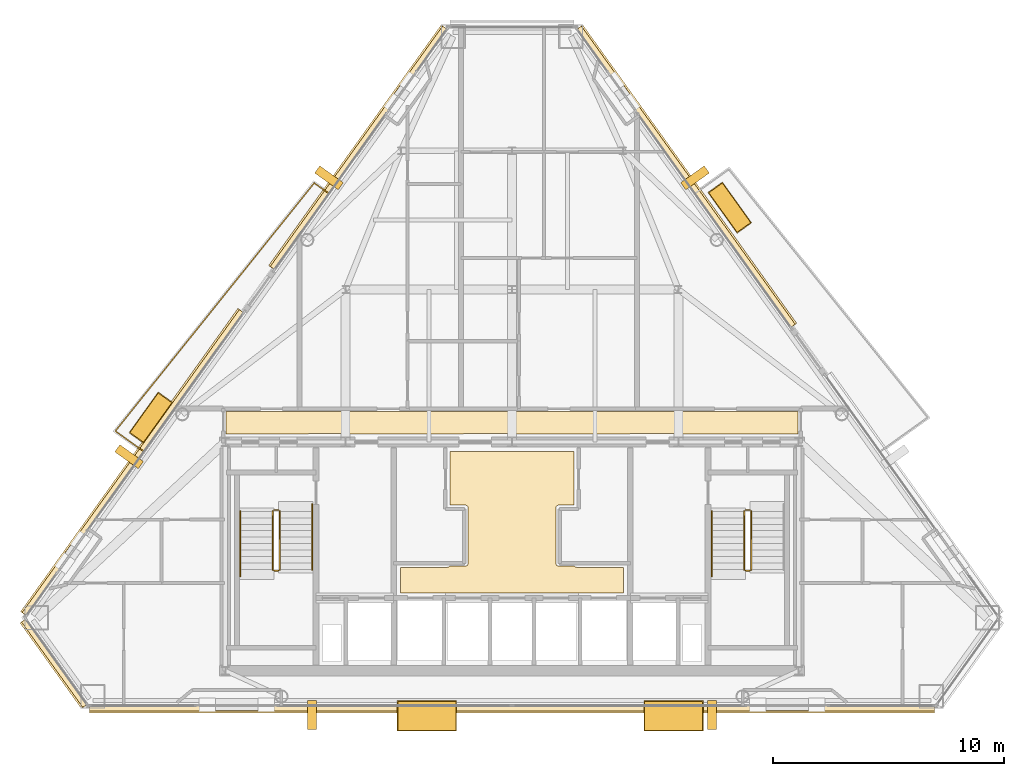
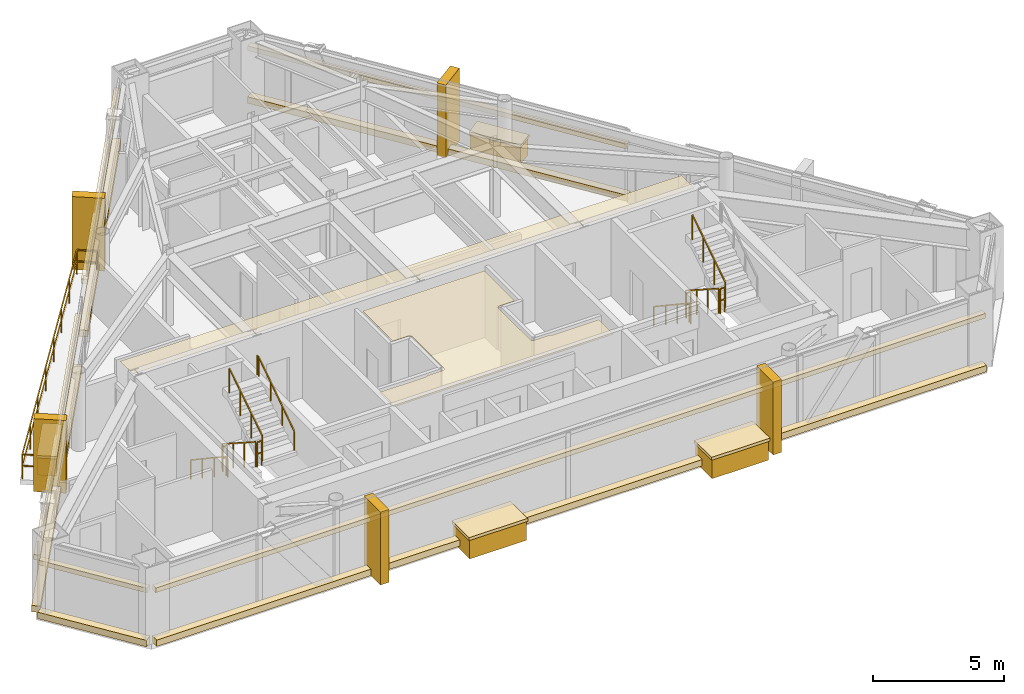
# One storey, part 10 of 11: 25 coverings, 12 railings.
"""IFC4 building model written with IfcOpenShell, lengths in metres."""

from ifc_helpers import new_model, si_unit, direction, frame, origin, origin_2d, place, context, subcontext, project, spatial, polyline, rectangle, outline, extrude, material, layer, layer_set, type_object, element, save


model = new_model("IFC4")

# Units and contexts
model_context = context("Model", 3, precision=1e-05, world=origin(), true_north=direction((0.0, 1.0)))
body_context = subcontext(model_context, "Body", "Model", "MODEL_VIEW")
ifc_project = project(units=[si_unit("LENGTHUNIT", "METRE"), si_unit("AREAUNIT", "SQUARE_METRE"), si_unit("VOLUMEUNIT", "CUBIC_METRE"), si_unit("PLANEANGLEUNIT", "RADIAN"), si_unit("MASSUNIT", "GRAM", prefix="KILO")], contexts=[model_context])

# Site, building, storey
site_placement = place(None, origin())
site = spatial("IfcSite", under=ifc_project, at=site_placement, CompositionType="ELEMENT")
building_placement = place(site_placement, origin())
building = spatial("IfcBuilding", under=site, at=building_placement, Name="Talgorran Terracotta Tower", CompositionType="ELEMENT")
storey_placement = place(building_placement, frame((0.0, 0.0, 237.0)))
storey = spatial("IfcBuildingStorey", under=building, at=storey_placement, Name="L62", CompositionType="ELEMENT", Elevation=237.0)

# Coverings
ifc_material_1 = material(Name="Kiln-Fired Terracotta Ochre Ceramic", Category="masonry")
ifc_layer_1 = layer(ifc_material_1, 0.179931640625, Name="COV_BAGUETTE_TERRACOTTA_SCREEN")
ifc_layer_set_1 = layer_set([ifc_layer_1], Name="Kiln-Fired Terracotta Ochre Ceramic")
covering_type_1 = type_object("IfcCoveringType", Name="COV_BAGUETTE_TERRACOTTA_SCREEN", PredefinedType="CLADDING", material=ifc_layer_set_1)
covering_1_placement = place(storey_placement, frame((-19.7880859375, -13.76318359375, 2.41015625), z_axis=(0.0, 0.0, 1.0), x_axis=(0.582662110936, -0.812714503673, 0.0)))
element("IfcCovering", 1, at=covering_1_placement, inside=storey, type_object=covering_type_1, Name="L62 Terracotta Baguette Solar Screen Assembly F0", PredefinedType="CLADDING", context=body_context, shape_type="SweptSolid", body=[
    extrude(rectangle(XDim=4.542724609375, YDim=0.260009765625, at=origin_2d()), origin(), (0.0, 0.0, 1.0), 0.219970703125),
])
covering_2_placement = place(storey_placement, frame((0.0, -15.707763671875, 2.41015625), z_axis=(0.0, 0.0, 1.0), x_axis=(1.0, 0.0, 0.0)))
element("IfcCovering", 2, at=covering_2_placement, inside=storey, type_object=covering_type_1, Name="L62 Terracotta Baguette Solar Screen Assembly F1", PredefinedType="CLADDING", context=body_context, shape_type="SweptSolid", body=[
    extrude(rectangle(XDim=36.545166015625, YDim=0.260009765625, at=origin_2d()), origin(), (0.0, 0.0, 1.0), 0.219970703125),
])
covering_3_placement = place(storey_placement, frame((7.521728515625, 7.2685546875, 2.41015625), z_axis=(0.0, 0.0, 1.0), x_axis=(-0.582662110936, 0.812714503673, 0.0)))
element("IfcCovering", 3, at=covering_3_placement, inside=storey, type_object=covering_type_1, Name="L62 Terracotta Baguette Solar Screen Assembly F41", PredefinedType="CLADDING", context=body_context, shape_type="SweptSolid", body=[
    extrude(rectangle(XDim=15.8701171875, YDim=0.260009765625, at=origin_2d()), origin(), (0.0, 0.0, 1.0), 0.219970703125),
])
covering_4_placement = place(storey_placement, frame((-6.625732421875, 8.518310546875, 2.41015625), z_axis=(0.0, 0.0, 1.0), x_axis=(-0.582662110936, -0.812714503673, 0.0)))
element("IfcCovering", 4, at=covering_4_placement, inside=storey, type_object=covering_type_1, Name="L62 Terracotta Baguette Solar Screen Assembly F60", PredefinedType="CLADDING", context=body_context, shape_type="SweptSolid", body=[
    extrude(rectangle(XDim=12.794921875, YDim=0.260009765625, at=origin_2d()), origin(), (0.0, 0.0, 1.0), 0.219970703125),
])
covering_5_placement = place(storey_placement, frame((-16.390869140625, -5.102294921875, 2.41015625), z_axis=(0.0, 0.0, 1.0), x_axis=(-0.582662110936, -0.812714503673, 0.0)))
element("IfcCovering", 5, at=covering_5_placement, inside=storey, type_object=covering_type_1, Name="L62 Terracotta Baguette Solar Screen Assembly F61", PredefinedType="CLADDING", context=body_context, shape_type="SweptSolid", body=[
    extrude(rectangle(XDim=16.123779296875, YDim=0.260009765625, at=origin_2d()), origin(), (0.0, 0.0, 1.0), 0.219970703125),
])
ifc_material_2 = material(Name="Mineral Fibre Acoustic Tile")
ifc_layer_2 = layer(ifc_material_2, 0.02490234375, Name="COV_CEIL_ACOUSTIC")
ifc_layer_set_2 = layer_set([ifc_layer_2], Name="Mineral Fibre Acoustic Tile")
covering_type_2 = type_object("IfcCoveringType", Name="COV_CEIL_ACOUSTIC", PredefinedType="CEILING", material=ifc_layer_set_2)
covering_6_placement = place(storey_placement, frame((0.0, 0.0, 3.2548828125)))
element("IfcCovering", 6, at=covering_6_placement, inside=storey, type_object=covering_type_2, Name="CEIL-L62-2", PredefinedType="CEILING", context=body_context, shape_type="SweptSolid", body=[
    extrude(outline(polyline([(-12.364990234375, -2.885009765625), (12.364990234375, -2.885009765625), (12.364990234375, -3.844970703125), (7.432861328125, -3.844970703125), (6.968017578125, -3.843017578125), (6.967529296875, -3.843017578125), (0.232666015625, -3.844970703125), (-0.23193359375, -3.843017578125), (-0.232421875, -3.843017578125), (-6.96728515625, -3.844970703125), (-7.431884765625, -3.843017578125), (-7.4326171875, -3.843017578125), (-12.364990234375, -3.844970703125), (-12.364990234375, -2.885009765625)])), origin(), (0.0, 0.0, 1.0), 0.02001953125),
])
ifc_material_3 = material(Name="Flush Moisture-Resistant Plaster")
ifc_layer_3 = layer(ifc_material_3, 0.01806640625, Name="COV_CEIL_PLASTER")
ifc_layer_set_3 = layer_set([ifc_layer_3], Name="Flush Moisture-Resistant Plaster")
covering_type_3 = type_object("IfcCoveringType", Name="COV_CEIL_PLASTER", PredefinedType="CEILING", material=ifc_layer_set_3)
covering_7_placement = place(storey_placement, frame((0.0, 0.0, 3.2548828125)))
element("IfcCovering", 7, at=covering_7_placement, inside=storey, type_object=covering_type_3, Name="CEIL-L62-1", PredefinedType="CEILING", context=body_context, shape_type="SweptSolid", body=[
    extrude(outline(polyline([(-2.70263671875, -9.570068359375), (-2.02001953125, -9.570068359375), (-2.00830078125, -9.5693359375), (-1.99658203125, -9.567626953125), (-1.985107421875, -9.564697265625), (-1.97412109375, -9.560791015625), (-1.96337890625, -9.555908203125), (-1.953369140625, -9.5498046875), (-1.94384765625, -9.542724609375), (-1.93505859375, -9.534912109375), (-1.92724609375, -9.526123046875), (-1.920166015625, -9.5166015625), (-1.914306640625, -9.506591796875), (-1.9091796875, -9.495849609375), (-1.9052734375, -9.48486328125), (-1.90234375, -9.473388671875), (-1.900634765625, -9.4619140625), (-1.89990234375, -9.449951171875), (-1.89990234375, -7.050048828125), (-1.900634765625, -7.0380859375), (-1.90234375, -7.026611328125), (-1.9052734375, -7.01513671875), (-1.9091796875, -7.004150390625), (-1.914306640625, -6.993408203125), (-1.920166015625, -6.9833984375), (-1.92724609375, -6.973876953125), (-1.93505859375, -6.965087890625), (-1.94384765625, -6.957275390625), (-1.953369140625, -6.9501953125), (-1.96337890625, -6.944091796875), (-1.97412109375, -6.939208984375), (-1.985107421875, -6.935302734375), (-1.99658203125, -6.932373046875), (-2.00830078125, -6.9306640625), (-2.02001953125, -6.929931640625), (-2.679931640625, -6.929931640625), (-2.679931640625, -4.6201171875), (2.679931640625, -4.6201171875), (2.679931640625, -6.929931640625), (2.02001953125, -6.929931640625), (2.00830078125, -6.9306640625), (1.99658203125, -6.932373046875), (1.985107421875, -6.935302734375), (1.97412109375, -6.939208984375), (1.96337890625, -6.944091796875), (1.953369140625, -6.9501953125), (1.94384765625, -6.957275390625), (1.93505859375, -6.965087890625), (1.92724609375, -6.973876953125), (1.920166015625, -6.9833984375), (1.914306640625, -6.993408203125), (1.9091796875, -7.004150390625), (1.9052734375, -7.01513671875), (1.90234375, -7.026611328125), (1.900634765625, -7.0380859375), (1.89990234375, -7.050048828125), (1.89990234375, -9.449951171875), (1.900634765625, -9.4619140625), (1.90234375, -9.473388671875), (1.9052734375, -9.48486328125), (1.9091796875, -9.495849609375), (1.914306640625, -9.506591796875), (1.920166015625, -9.5166015625), (1.92724609375, -9.526123046875), (1.93505859375, -9.534912109375), (1.94384765625, -9.542724609375), (1.953369140625, -9.5498046875), (1.96337890625, -9.555908203125), (1.97412109375, -9.560791015625), (1.985107421875, -9.564697265625), (1.99658203125, -9.567626953125), (2.00830078125, -9.5693359375), (2.02001953125, -9.570068359375), (2.70263671875, -9.570068359375), (2.707275390625, -9.576171875), (2.715087890625, -9.5849609375), (2.723876953125, -9.5927734375), (2.7333984375, -9.599853515625), (2.743408203125, -9.605712890625), (2.754150390625, -9.61083984375), (2.76513671875, -9.61474609375), (2.776611328125, -9.61767578125), (2.7880859375, -9.619384765625), (2.800048828125, -9.6201171875), (4.830078125, -9.6201171875), (4.830078125, -10.72998046875), (-4.830078125, -10.72998046875), (-4.830078125, -9.6201171875), (-2.800048828125, -9.6201171875), (-2.7880859375, -9.619384765625), (-2.776611328125, -9.61767578125), (-2.76513671875, -9.61474609375), (-2.754150390625, -9.61083984375), (-2.743408203125, -9.605712890625), (-2.7333984375, -9.599853515625), (-2.723876953125, -9.5927734375), (-2.715087890625, -9.5849609375), (-2.707275390625, -9.576171875), (-2.70263671875, -9.570068359375)])), origin(), (0.0, 0.0, 1.0), 0.02001953125),
])
ifc_material_4 = material(Name="Honed Limestone and Terracotta Planter", Category="masonry")
ifc_layer_4 = layer(ifc_material_4, 0.1201171875, Name="COV_PLANTER_BOX")
ifc_layer_set_4 = layer_set([ifc_layer_4], Name="Honed Limestone and Terracotta Planter")
covering_type_4 = type_object("IfcCoveringType", Name="COV_PLANTER_BOX", PredefinedType="CLADDING", material=ifc_layer_set_4)
for number, where, z_axis, x_axis, name in (
    (8, (6.99365234375, -16.0478515625, -0.179931640625), (0.0, 0.0, 1.0), (1.0, 0.0, 0.0), "L62 Staggered South Facade Planter Box 1"),
    (9, (-3.680908203125, -16.0478515625, -0.179931640625), (0.0, 0.0, 1.0), (1.0, 0.0, 0.0), "L62 Staggered South Facade Planter Box 2"),
):
    element("IfcCovering", number, at=place(storey_placement, frame(where, z_axis=z_axis, x_axis=x_axis)), inside=storey, type_object=covering_type_4, Name=name, PredefinedType="CLADDING", context=body_context, shape_type="SweptSolid", body=[
        extrude(rectangle(XDim=2.5, YDim=1.25, at=origin_2d()), origin(), (0.0, 0.0, 1.0), 0.919921875),
    ])
for number, where, z_axis, x_axis, name in (
    (10, (9.422119140625, 5.939453125, -0.02001953125), (0.0, 0.0, 1.0), (-0.582662110936, 0.812714503673, 0.0), "L62 Staggered Balcony Planter Box BAL-NE"),
    (11, (-15.626220703125, -3.14501953125, -0.02001953125), (0.0, 0.0, 1.0), (-0.582662110936, -0.812714503673, 0.0), "L62 Staggered Balcony Planter Box BAL-NW"),
):
    element("IfcCovering", number, at=place(storey_placement, frame(where, z_axis=z_axis, x_axis=x_axis)), inside=storey, type_object=covering_type_4, Name=name, PredefinedType="CLADDING", context=body_context, shape_type="SweptSolid", body=[
        extrude(rectangle(XDim=2.10009765625, YDim=0.719970703125, at=origin_2d()), origin(), (0.0, 0.0, 1.0), 0.860107421875),
    ])
ifc_material_5 = material(Name="Kiln-Fired Terracotta Planter Rim", Category="masonry")
ifc_layer_5 = layer(ifc_material_5, 0.10009765625, Name="COV_PLANTER_RIM")
ifc_layer_set_5 = layer_set([ifc_layer_5], Name="Kiln-Fired Terracotta Planter Rim")
covering_type_5 = type_object("IfcCoveringType", Name="COV_PLANTER_RIM", PredefinedType="CLADDING", material=ifc_layer_set_5)
for number, where, z_axis, x_axis, name in (
    (12, (6.99365234375, -16.0478515625, 0.7099609375), (0.0, 0.0, 1.0), (1.0, 0.0, 0.0), "L62 South Planter Terracotta Rim 1"),
    (13, (-3.680908203125, -16.0478515625, 0.7099609375), (0.0, 0.0, 1.0), (1.0, 0.0, 0.0), "L62 South Planter Terracotta Rim 2"),
):
    element("IfcCovering", number, at=place(storey_placement, frame(where, z_axis=z_axis, x_axis=x_axis)), inside=storey, type_object=covering_type_5, Name=name, PredefinedType="CLADDING", context=body_context, shape_type="SweptSolid", body=[
        extrude(rectangle(XDim=2.580078125, YDim=1.320068359375, at=origin_2d()), origin(), (0.0, 0.0, 1.0), 0.139892578125),
    ])
for number, where, z_axis, x_axis, name in (
    (14, (9.422119140625, 5.939453125, 0.800048828125), (0.0, 0.0, 1.0), (-0.582662110936, 0.812714503673, 0.0), "L62 Balcony Planter Terracotta Rim BAL-NE"),
    (15, (-15.626220703125, -3.14501953125, 0.800048828125), (0.0, 0.0, 1.0), (-0.582662110936, -0.812714503673, 0.0), "L62 Balcony Planter Terracotta Rim BAL-NW"),
):
    element("IfcCovering", number, at=place(storey_placement, frame(where, z_axis=z_axis, x_axis=x_axis)), inside=storey, type_object=covering_type_5, Name=name, PredefinedType="CLADDING", context=body_context, shape_type="SweptSolid", body=[
        extrude(rectangle(XDim=2.179931640625, YDim=0.780029296875, at=origin_2d()), origin(), (0.0, 0.0, 1.0), 0.1201171875),
    ])
ifc_material_6 = material(Name="Honed Limestone Cladding", Category="masonry")
ifc_layer_6 = layer(ifc_material_6, 0.094970703125, Name="COV_PORTAL_LIME")
ifc_layer_set_6 = layer_set([ifc_layer_6], Name="Honed Limestone Cladding")
covering_type_6 = type_object("IfcCoveringType", Name="COV_PORTAL_LIME", PredefinedType="CLADDING", material=ifc_layer_set_6)
covering_8_placement = place(storey_placement, frame((-19.820556640625, -13.78662109375, -0.0400390625), z_axis=(0.0, 0.0, 1.0), x_axis=(0.582662110936, -0.812714503673, 0.0)))
element("IfcCovering", 16, at=covering_8_placement, inside=storey, type_object=covering_type_6, Name="L62 Striped Postmodern Portal Cladding Band F0", PredefinedType="CLADDING", context=body_context, shape_type="SweptSolid", body=[
    extrude(rectangle(XDim=4.562744140625, YDim=0.340087890625, at=origin_2d()), origin(), (0.0, 0.0, 1.0), 0.300048828125),
])
covering_9_placement = place(storey_placement, frame((0.0, -15.747802734375, -0.0400390625), z_axis=(0.0, 0.0, 1.0), x_axis=(1.0, 0.0, 0.0)))
element("IfcCovering", 17, at=covering_9_placement, inside=storey, type_object=covering_type_6, Name="L62 Striped Postmodern Portal Cladding Band F1", PredefinedType="CLADDING", context=body_context, shape_type="SweptSolid", body=[
    extrude(rectangle(XDim=36.565185546875, YDim=0.340087890625, at=origin_2d()), origin(), (0.0, 0.0, 1.0), 0.300048828125),
])
covering_10_placement = place(storey_placement, frame((7.55419921875, 7.291748046875, -0.0400390625), z_axis=(0.0, 0.0, 1.0), x_axis=(-0.582662110936, 0.812714503673, 0.0)))
element("IfcCovering", 18, at=covering_10_placement, inside=storey, type_object=covering_type_6, Name="L62 Striped Postmodern Portal Cladding Band F41", PredefinedType="CLADDING", context=body_context, shape_type="SweptSolid", body=[
    extrude(rectangle(XDim=15.89013671875, YDim=0.340087890625, at=origin_2d()), origin(), (0.0, 0.0, 1.0), 0.300048828125),
])
covering_11_placement = place(storey_placement, frame((-6.658203125, 8.54150390625, -0.0400390625), z_axis=(0.0, 0.0, 1.0), x_axis=(-0.582662110936, -0.812714503673, 0.0)))
element("IfcCovering", 19, at=covering_11_placement, inside=storey, type_object=covering_type_6, Name="L62 Striped Postmodern Portal Cladding Band F60", PredefinedType="CLADDING", context=body_context, shape_type="SweptSolid", body=[
    extrude(rectangle(XDim=12.814697265625, YDim=0.340087890625, at=origin_2d()), origin(), (0.0, 0.0, 1.0), 0.300048828125),
])
covering_12_placement = place(storey_placement, frame((-16.42333984375, -5.0791015625, -0.0400390625), z_axis=(0.0, 0.0, 1.0), x_axis=(-0.582662110936, -0.812714503673, 0.0)))
element("IfcCovering", 20, at=covering_12_placement, inside=storey, type_object=covering_type_6, Name="L62 Striped Postmodern Portal Cladding Band F61", PredefinedType="CLADDING", context=body_context, shape_type="SweptSolid", body=[
    extrude(rectangle(XDim=16.143798828125, YDim=0.340087890625, at=origin_2d()), origin(), (0.0, 0.0, 1.0), 0.300048828125),
])
for number, where, z_axis, x_axis, name in (
    (21, (8.64990234375, -16.0078125, -0.050048828125), (0.0, 0.0, 1.0), (1.0, 0.0, 0.0), "L62 White Striped Portal Fin F1-2"),
    (22, (7.919189453125, 7.22900390625, -0.050048828125), (0.0, 0.0, 1.0), (-0.582662110936, 0.812714503673, 0.0), "L62 White Striped Portal Fin F3-2"),
    (23, (-16.569091796875, -4.836181640625, -0.050048828125), (0.0, 0.0, 1.0), (-0.582662110936, -0.812714503673, 0.0), "L62 White Striped Portal Fin F5-2"),
):
    element("IfcCovering", number, at=place(storey_placement, frame(where, z_axis=z_axis, x_axis=x_axis)), inside=storey, type_object=covering_type_6, Name=name, PredefinedType="CLADDING", context=body_context, shape_type="SweptSolid", body=[
        extrude(rectangle(XDim=0.3798828125, YDim=1.25, at=origin_2d()), origin(), (0.0, 0.0, 1.0), 3.39501953125),
    ])
ifc_material_7 = material(Name="Kiln-Fired Terracotta Cladding", Category="masonry")
ifc_layer_7 = layer(ifc_material_7, 0.090087890625, Name="COV_PORTAL_TERRA")
ifc_layer_set_7 = layer_set([ifc_layer_7], Name="Kiln-Fired Terracotta Cladding")
covering_type_7 = type_object("IfcCoveringType", Name="COV_PORTAL_TERRA", PredefinedType="CLADDING", material=ifc_layer_set_7)
for number, where, z_axis, x_axis, name in (
    (24, (-8.64990234375, -16.0078125, -0.050048828125), (0.0, 0.0, 1.0), (1.0, 0.0, 0.0), "L62 Terracotta Striped Portal Fin F1-1"),
    (25, (-7.919189453125, 7.22900390625, -0.050048828125), (0.0, 0.0, 1.0), (-0.582662110936, -0.812714503673, 0.0), "L62 Terracotta Striped Portal Fin F5-1"),
):
    element("IfcCovering", number, at=place(storey_placement, frame(where, z_axis=z_axis, x_axis=x_axis)), inside=storey, type_object=covering_type_7, Name=name, PredefinedType="CLADDING", context=body_context, shape_type="SweptSolid", body=[
        extrude(rectangle(XDim=0.3798828125, YDim=1.25, at=origin_2d()), origin(), (0.0, 0.0, 1.0), 3.39501953125),
    ])

# Railings
ifc_material_8 = material(Name="Laminated Glass and Stainless Steel 316", Category="steel")
railing_type_1 = type_object("IfcRailingType", Name="RL_BALCONY_1150", PredefinedType="BALUSTRADE", material=ifc_material_8)
railing_1_placement = place(storey_placement, frame((-7.93310546875, 6.5576171875, 0.0)))
element("IfcRailing", 26, at=railing_1_placement, inside=storey, type_object=railing_type_1, Name="RL-L62-BAL-BAL-NW", PredefinedType="BALUSTRADE", context=body_context, shape_type="SweptSolid", body=[
    extrude(rectangle(XDim=0.048095703125, YDim=0.048095703125, at=origin_2d()), frame((0.0, 0.0, 1.1259765625), z_axis=(-0.812809607963, 0.582529433765, 0.0), x_axis=(-0.582529433765, -0.812809607963, 0.0)), (0.0, 0.0, 1.0), 0.7685546875),
    extrude(rectangle(XDim=0.048095703125, YDim=0.048095703125, at=origin_2d()), frame((0.0, 0.0, 0.597900390625), z_axis=(-0.812809607963, 0.582529433765, 0.0), x_axis=(-0.582529433765, -0.812809607963, 0.0)), (0.0, 0.0, 1.0), 0.7685546875),
    extrude(rectangle(XDim=0.048095703125, YDim=0.048095703125, at=origin_2d()), frame((-0.624755859375, 0.44775390625, 1.1259765625), z_axis=(-0.625568952891, -0.780168882472, 0.0), x_axis=(0.780168882472, -0.625568952891, 0.0)), (0.0, 0.0, 1.0), 13.7578125),
    extrude(rectangle(XDim=0.048095703125, YDim=0.048095703125, at=origin_2d()), frame((-0.624755859375, 0.44775390625, 0.597900390625), z_axis=(-0.625568952891, -0.780168882472, 0.0), x_axis=(0.780168882472, -0.625568952891, 0.0)), (0.0, 0.0, 1.0), 13.7578125),
    extrude(rectangle(XDim=0.048095703125, YDim=0.048095703125, at=origin_2d()), frame((-9.231201171875, -10.28564453125, 1.1259765625), z_axis=(0.812704776836, -0.582675677978, 0.0), x_axis=(0.582675677978, 0.812704776836, 0.0)), (0.0, 0.0, 1.0), 1.50927734375),
    extrude(rectangle(XDim=0.048095703125, YDim=0.048095703125, at=origin_2d()), frame((-9.231201171875, -10.28564453125, 0.597900390625), z_axis=(0.812704776836, -0.582675677978, 0.0), x_axis=(0.582675677978, 0.812704776836, 0.0)), (0.0, 0.0, 1.0), 1.50927734375),
    extrude(rectangle(XDim=0.0419921875, YDim=0.0419921875, at=origin_2d()), origin(), (0.0, 0.0, 1.0), 1.101806640625),
    extrude(rectangle(XDim=0.0419921875, YDim=0.0419921875, at=origin_2d()), frame((-0.624755859375, 0.44775390625, 0.0)), (0.0, 0.0, 1.0), 1.101806640625),
    extrude(rectangle(XDim=0.0419921875, YDim=0.0419921875, at=origin_2d()), frame((-1.854248046875, -1.085693359375, 0.0)), (0.0, 0.0, 1.0), 1.101806640625),
    extrude(rectangle(XDim=0.0419921875, YDim=0.0419921875, at=origin_2d()), frame((-3.083740234375, -2.618896484375, 0.0)), (0.0, 0.0, 1.0), 1.101806640625),
    extrude(rectangle(XDim=0.0419921875, YDim=0.0419921875, at=origin_2d()), frame((-4.313232421875, -4.15234375, 0.0)), (0.0, 0.0, 1.0), 1.101806640625),
    extrude(rectangle(XDim=0.0419921875, YDim=0.0419921875, at=origin_2d()), frame((-5.542724609375, -5.685546875, 0.0)), (0.0, 0.0, 1.0), 1.101806640625),
    extrude(rectangle(XDim=0.0419921875, YDim=0.0419921875, at=origin_2d()), frame((-6.772216796875, -7.218994140625, 0.0)), (0.0, 0.0, 1.0), 1.101806640625),
    extrude(rectangle(XDim=0.0419921875, YDim=0.0419921875, at=origin_2d()), frame((-8.001708984375, -8.752197265625, 0.0)), (0.0, 0.0, 1.0), 1.101806640625),
    extrude(rectangle(XDim=0.0419921875, YDim=0.0419921875, at=origin_2d()), frame((-9.231201171875, -10.28564453125, 0.0)), (0.0, 0.0, 1.0), 1.101806640625),
    extrude(rectangle(XDim=0.0419921875, YDim=0.0419921875, at=origin_2d()), frame((-8.004638671875, -11.1650390625, 0.0)), (0.0, 0.0, 1.0), 1.101806640625),
])
ifc_material_9 = material(Name="Steel S355 (300PLUS)", Category="steel")
railing_type_2 = type_object("IfcRailingType", Name="RL_HANDRAIL_920", PredefinedType="HANDRAIL", material=ifc_material_9)
railing_2_placement = place(storey_placement, frame((-11.75, -7.199951171875, 0.179931640625)))
element("IfcRailing", 27, at=railing_2_placement, inside=storey, type_object=railing_type_2, Name="L62 ST-01 stair handrail 1", PredefinedType="HANDRAIL", context=body_context, shape_type="SweptSolid", body=[
    extrude(rectangle(XDim=0.048095703125, YDim=0.048095703125, at=origin_2d()), frame((0.0, 0.0, 0.89599609375), z_axis=(0.0, -0.832038719335, 0.554717558338), x_axis=(1.0, 0.0, 0.0)), (0.0, 0.0, 1.0), 3.244873046875),
    extrude(rectangle(XDim=0.048095703125, YDim=0.048095703125, at=origin_2d()), frame((0.0, -2.699951171875, 2.69580078125), z_axis=(0.0, -1.0, 0.0), x_axis=(1.0, 0.0, 0.0)), (0.0, 0.0, 1.0), 0.1201171875),
    extrude(rectangle(XDim=0.0419921875, YDim=0.0419921875, at=origin_2d()), origin(), (0.0, 0.0, 1.0), 0.871826171875),
    extrude(rectangle(XDim=0.0419921875, YDim=0.0419921875, at=origin_2d()), frame((0.0, -0.89990234375, 0.60009765625)), (0.0, 0.0, 1.0), 0.871826171875),
    extrude(rectangle(XDim=0.0419921875, YDim=0.0419921875, at=origin_2d()), frame((0.0, -1.800048828125, 1.199951171875)), (0.0, 0.0, 1.0), 0.871826171875),
    extrude(rectangle(XDim=0.0419921875, YDim=0.0419921875, at=origin_2d()), frame((0.0, -2.699951171875, 1.800048828125)), (0.0, 0.0, 1.0), 0.871826171875),
    extrude(rectangle(XDim=0.0419921875, YDim=0.0419921875, at=origin_2d()), frame((0.0, -2.820068359375, 1.800048828125)), (0.0, 0.0, 1.0), 0.871826171875),
])
railing_3_placement = place(storey_placement, frame((-8.64990234375, -9.719970703125, 1.97998046875)))
element("IfcRailing", 28, at=railing_3_placement, inside=storey, type_object=railing_type_2, Name="L62 ST-01 stair handrail 2", PredefinedType="HANDRAIL", context=body_context, shape_type="SweptSolid", body=[
    extrude(rectangle(XDim=0.048095703125, YDim=0.048095703125, at=origin_2d()), frame((0.0, 0.0, 0.89599609375), z_axis=(0.0, 0.832038719335, 0.554717558338), x_axis=(-1.0, 0.0, 0.0)), (0.0, 0.0, 1.0), 3.244873046875),
    extrude(rectangle(XDim=0.048095703125, YDim=0.048095703125, at=origin_2d()), frame((0.0, 2.699951171875, 2.69580078125), z_axis=(0.0, 1.0, 0.0), x_axis=(-1.0, 0.0, 0.0)), (0.0, 0.0, 1.0), 0.1201171875),
    extrude(rectangle(XDim=0.0419921875, YDim=0.0419921875, at=origin_2d()), origin(), (0.0, 0.0, 1.0), 0.871826171875),
    extrude(rectangle(XDim=0.0419921875, YDim=0.0419921875, at=origin_2d()), frame((0.0, 0.89990234375, 0.60009765625)), (0.0, 0.0, 1.0), 0.871826171875),
    extrude(rectangle(XDim=0.0419921875, YDim=0.0419921875, at=origin_2d()), frame((0.0, 1.800048828125, 1.199951171875)), (0.0, 0.0, 1.0), 0.871826171875),
    extrude(rectangle(XDim=0.0419921875, YDim=0.0419921875, at=origin_2d()), frame((0.0, 2.699951171875, 1.800048828125)), (0.0, 0.0, 1.0), 0.871826171875),
    extrude(rectangle(XDim=0.0419921875, YDim=0.0419921875, at=origin_2d()), frame((0.0, 2.820068359375, 1.800048828125)), (0.0, 0.0, 1.0), 0.871826171875),
])
railing_4_placement = place(storey_placement, frame((8.64990234375, -7.199951171875, 0.179931640625)))
element("IfcRailing", 29, at=railing_4_placement, inside=storey, type_object=railing_type_2, Name="L62 ST-02 stair handrail 1", PredefinedType="HANDRAIL", context=body_context, shape_type="SweptSolid", body=[
    extrude(rectangle(XDim=0.048095703125, YDim=0.048095703125, at=origin_2d()), frame((0.0, 0.0, 0.89599609375), z_axis=(0.0, -0.832038719335, 0.554717558338), x_axis=(1.0, 0.0, 0.0)), (0.0, 0.0, 1.0), 3.244873046875),
    extrude(rectangle(XDim=0.048095703125, YDim=0.048095703125, at=origin_2d()), frame((0.0, -2.699951171875, 2.69580078125), z_axis=(0.0, -1.0, 0.0), x_axis=(1.0, 0.0, 0.0)), (0.0, 0.0, 1.0), 0.1201171875),
    extrude(rectangle(XDim=0.0419921875, YDim=0.0419921875, at=origin_2d()), origin(), (0.0, 0.0, 1.0), 0.871826171875),
    extrude(rectangle(XDim=0.0419921875, YDim=0.0419921875, at=origin_2d()), frame((0.0, -0.89990234375, 0.60009765625)), (0.0, 0.0, 1.0), 0.871826171875),
    extrude(rectangle(XDim=0.0419921875, YDim=0.0419921875, at=origin_2d()), frame((0.0, -1.800048828125, 1.199951171875)), (0.0, 0.0, 1.0), 0.871826171875),
    extrude(rectangle(XDim=0.0419921875, YDim=0.0419921875, at=origin_2d()), frame((0.0, -2.699951171875, 1.800048828125)), (0.0, 0.0, 1.0), 0.871826171875),
    extrude(rectangle(XDim=0.0419921875, YDim=0.0419921875, at=origin_2d()), frame((0.0, -2.820068359375, 1.800048828125)), (0.0, 0.0, 1.0), 0.871826171875),
])
railing_type_3 = type_object("IfcRailingType", Name="RL_STAIR_GUARD", PredefinedType="GUARDRAIL", material=ifc_material_9)
railing_5_placement = place(storey_placement, frame((-10.35009765625, -7.199951171875, 0.179931640625)))
element("IfcRailing", 30, at=railing_5_placement, inside=storey, type_object=railing_type_3, Name="L62 ST-01 stair guard 1", PredefinedType="GUARDRAIL", context=body_context, shape_type="SweptSolid", body=[
    extrude(rectangle(XDim=0.048095703125, YDim=0.048095703125, at=origin_2d()), frame((0.0, 0.0, 1.15576171875), z_axis=(0.0, -0.841162588446, 0.540782303519), x_axis=(1.0, 0.0, 0.0)), (0.0, 0.0, 1.0), 2.995849609375),
    extrude(rectangle(XDim=0.0419921875, YDim=0.0419921875, at=origin_2d()), origin(), (0.0, 0.0, 1.0), 1.1318359375),
    extrude(rectangle(XDim=0.0419921875, YDim=0.0419921875, at=origin_2d()), frame((0.0, -0.840087890625, 0.5400390625)), (0.0, 0.0, 1.0), 1.1318359375),
    extrude(rectangle(XDim=0.0419921875, YDim=0.0419921875, at=origin_2d()), frame((0.0, -1.679931640625, 1.080078125)), (0.0, 0.0, 1.0), 1.1318359375),
    extrude(rectangle(XDim=0.0419921875, YDim=0.0419921875, at=origin_2d()), frame((0.0, -2.52001953125, 1.6201171875)), (0.0, 0.0, 1.0), 1.1318359375),
])
railing_6_placement = place(storey_placement, frame((-10.300048828125, -9.77001953125, 1.800048828125)))
element("IfcRailing", 31, at=railing_6_placement, inside=storey, type_object=railing_type_3, Name="L62 ST-01 stair guard 2", PredefinedType="GUARDRAIL", context=body_context, shape_type="SweptSolid", body=[
    extrude(rectangle(XDim=0.048095703125, YDim=0.048095703125, at=origin_2d()), frame((0.0, 0.0, 1.15576171875), z_axis=(1.0, 0.0, 0.0), x_axis=(0.0, 1.0, 0.0)), (0.0, 0.0, 1.0), 0.199951171875),
    extrude(rectangle(XDim=0.048095703125, YDim=0.048095703125, at=origin_2d()), frame((0.0, 0.0, 0.613525390625), z_axis=(1.0, 0.0, 0.0), x_axis=(0.0, 1.0, 0.0)), (0.0, 0.0, 1.0), 0.199951171875),
    extrude(rectangle(XDim=0.0419921875, YDim=0.0419921875, at=origin_2d()), origin(), (0.0, 0.0, 1.0), 1.1318359375),
    extrude(rectangle(XDim=0.0419921875, YDim=0.0419921875, at=origin_2d()), frame((0.199951171875, 0.0, 0.0)), (0.0, 0.0, 1.0), 1.1318359375),
])
railing_7_placement = place(storey_placement, frame((-10.050048828125, -9.719970703125, 1.97998046875)))
element("IfcRailing", 32, at=railing_7_placement, inside=storey, type_object=railing_type_3, Name="L62 ST-01 stair guard 3", PredefinedType="GUARDRAIL", context=body_context, shape_type="SweptSolid", body=[
    extrude(rectangle(XDim=0.048095703125, YDim=0.048095703125, at=origin_2d()), frame((0.0, 0.0, 1.15576171875), z_axis=(0.0, 0.841162588446, 0.540782303519), x_axis=(-1.0, 0.0, 0.0)), (0.0, 0.0, 1.0), 2.995849609375),
    extrude(rectangle(XDim=0.0419921875, YDim=0.0419921875, at=origin_2d()), origin(), (0.0, 0.0, 1.0), 1.1318359375),
    extrude(rectangle(XDim=0.0419921875, YDim=0.0419921875, at=origin_2d()), frame((0.0, 0.840087890625, 0.5400390625)), (0.0, 0.0, 1.0), 1.1318359375),
    extrude(rectangle(XDim=0.0419921875, YDim=0.0419921875, at=origin_2d()), frame((0.0, 1.679931640625, 1.080078125)), (0.0, 0.0, 1.0), 1.1318359375),
    extrude(rectangle(XDim=0.0419921875, YDim=0.0419921875, at=origin_2d()), frame((0.0, 2.52001953125, 1.6201171875)), (0.0, 0.0, 1.0), 1.1318359375),
])
railing_8_placement = place(storey_placement, frame((-10.300048828125, -7.14990234375, 0.0)))
element("IfcRailing", 33, at=railing_8_placement, inside=storey, type_object=railing_type_3, Name="L62 ST-01 stair guard 4", PredefinedType="GUARDRAIL", context=body_context, shape_type="SweptSolid", body=[
    extrude(rectangle(XDim=0.048095703125, YDim=0.048095703125, at=origin_2d()), frame((0.0, 0.0, 1.15576171875), z_axis=(1.0, 0.0, 0.0), x_axis=(0.0, 1.0, 0.0)), (0.0, 0.0, 1.0), 0.199951171875),
    extrude(rectangle(XDim=0.048095703125, YDim=0.048095703125, at=origin_2d()), frame((0.0, 0.0, 0.613525390625), z_axis=(1.0, 0.0, 0.0), x_axis=(0.0, 1.0, 0.0)), (0.0, 0.0, 1.0), 0.199951171875),
    extrude(rectangle(XDim=0.0419921875, YDim=0.0419921875, at=origin_2d()), origin(), (0.0, 0.0, 1.0), 1.1318359375),
    extrude(rectangle(XDim=0.0419921875, YDim=0.0419921875, at=origin_2d()), frame((0.199951171875, 0.0, 0.0)), (0.0, 0.0, 1.0), 1.1318359375),
])
railing_9_placement = place(storey_placement, frame((10.050048828125, -7.199951171875, 0.179931640625)))
element("IfcRailing", 34, at=railing_9_placement, inside=storey, type_object=railing_type_3, Name="L62 ST-02 stair guard 1", PredefinedType="GUARDRAIL", context=body_context, shape_type="SweptSolid", body=[
    extrude(rectangle(XDim=0.048095703125, YDim=0.048095703125, at=origin_2d()), frame((0.0, 0.0, 1.15576171875), z_axis=(0.0, -0.841162588446, 0.540782303519), x_axis=(1.0, 0.0, 0.0)), (0.0, 0.0, 1.0), 2.995849609375),
    extrude(rectangle(XDim=0.0419921875, YDim=0.0419921875, at=origin_2d()), origin(), (0.0, 0.0, 1.0), 1.1318359375),
    extrude(rectangle(XDim=0.0419921875, YDim=0.0419921875, at=origin_2d()), frame((0.0, -0.840087890625, 0.5400390625)), (0.0, 0.0, 1.0), 1.1318359375),
    extrude(rectangle(XDim=0.0419921875, YDim=0.0419921875, at=origin_2d()), frame((0.0, -1.679931640625, 1.080078125)), (0.0, 0.0, 1.0), 1.1318359375),
    extrude(rectangle(XDim=0.0419921875, YDim=0.0419921875, at=origin_2d()), frame((0.0, -2.52001953125, 1.6201171875)), (0.0, 0.0, 1.0), 1.1318359375),
])
railing_10_placement = place(storey_placement, frame((10.10009765625, -9.77001953125, 1.800048828125)))
element("IfcRailing", 35, at=railing_10_placement, inside=storey, type_object=railing_type_3, Name="L62 ST-02 stair guard 2", PredefinedType="GUARDRAIL", context=body_context, shape_type="SweptSolid", body=[
    extrude(rectangle(XDim=0.048095703125, YDim=0.048095703125, at=origin_2d()), frame((0.0, 0.0, 1.15576171875), z_axis=(1.0, 0.0, 0.0), x_axis=(0.0, 1.0, 0.0)), (0.0, 0.0, 1.0), 0.199951171875),
    extrude(rectangle(XDim=0.048095703125, YDim=0.048095703125, at=origin_2d()), frame((0.0, 0.0, 0.613525390625), z_axis=(1.0, 0.0, 0.0), x_axis=(0.0, 1.0, 0.0)), (0.0, 0.0, 1.0), 0.199951171875),
    extrude(rectangle(XDim=0.0419921875, YDim=0.0419921875, at=origin_2d()), origin(), (0.0, 0.0, 1.0), 1.1318359375),
    extrude(rectangle(XDim=0.0419921875, YDim=0.0419921875, at=origin_2d()), frame((0.199951171875, 0.0, 0.0)), (0.0, 0.0, 1.0), 1.1318359375),
])
railing_11_placement = place(storey_placement, frame((10.35009765625, -9.719970703125, 1.97998046875)))
element("IfcRailing", 36, at=railing_11_placement, inside=storey, type_object=railing_type_3, Name="L62 ST-02 stair guard 3", PredefinedType="GUARDRAIL", context=body_context, shape_type="SweptSolid", body=[
    extrude(rectangle(XDim=0.048095703125, YDim=0.048095703125, at=origin_2d()), frame((0.0, 0.0, 1.15576171875), z_axis=(0.0, 0.841162588446, 0.540782303519), x_axis=(-1.0, 0.0, 0.0)), (0.0, 0.0, 1.0), 2.995849609375),
    extrude(rectangle(XDim=0.0419921875, YDim=0.0419921875, at=origin_2d()), origin(), (0.0, 0.0, 1.0), 1.1318359375),
    extrude(rectangle(XDim=0.0419921875, YDim=0.0419921875, at=origin_2d()), frame((0.0, 0.840087890625, 0.5400390625)), (0.0, 0.0, 1.0), 1.1318359375),
    extrude(rectangle(XDim=0.0419921875, YDim=0.0419921875, at=origin_2d()), frame((0.0, 1.679931640625, 1.080078125)), (0.0, 0.0, 1.0), 1.1318359375),
    extrude(rectangle(XDim=0.0419921875, YDim=0.0419921875, at=origin_2d()), frame((0.0, 2.52001953125, 1.6201171875)), (0.0, 0.0, 1.0), 1.1318359375),
])
railing_12_placement = place(storey_placement, frame((10.10009765625, -7.14990234375, 0.0)))
element("IfcRailing", 37, at=railing_12_placement, inside=storey, type_object=railing_type_3, Name="L62 ST-02 stair guard 4", PredefinedType="GUARDRAIL", context=body_context, shape_type="SweptSolid", body=[
    extrude(rectangle(XDim=0.048095703125, YDim=0.048095703125, at=origin_2d()), frame((0.0, 0.0, 1.15576171875), z_axis=(1.0, 0.0, 0.0), x_axis=(0.0, 1.0, 0.0)), (0.0, 0.0, 1.0), 0.199951171875),
    extrude(rectangle(XDim=0.048095703125, YDim=0.048095703125, at=origin_2d()), frame((0.0, 0.0, 0.613525390625), z_axis=(1.0, 0.0, 0.0), x_axis=(0.0, 1.0, 0.0)), (0.0, 0.0, 1.0), 0.199951171875),
    extrude(rectangle(XDim=0.0419921875, YDim=0.0419921875, at=origin_2d()), origin(), (0.0, 0.0, 1.0), 1.1318359375),
    extrude(rectangle(XDim=0.0419921875, YDim=0.0419921875, at=origin_2d()), frame((0.199951171875, 0.0, 0.0)), (0.0, 0.0, 1.0), 1.1318359375),
])

save(model, "model.ifc")
